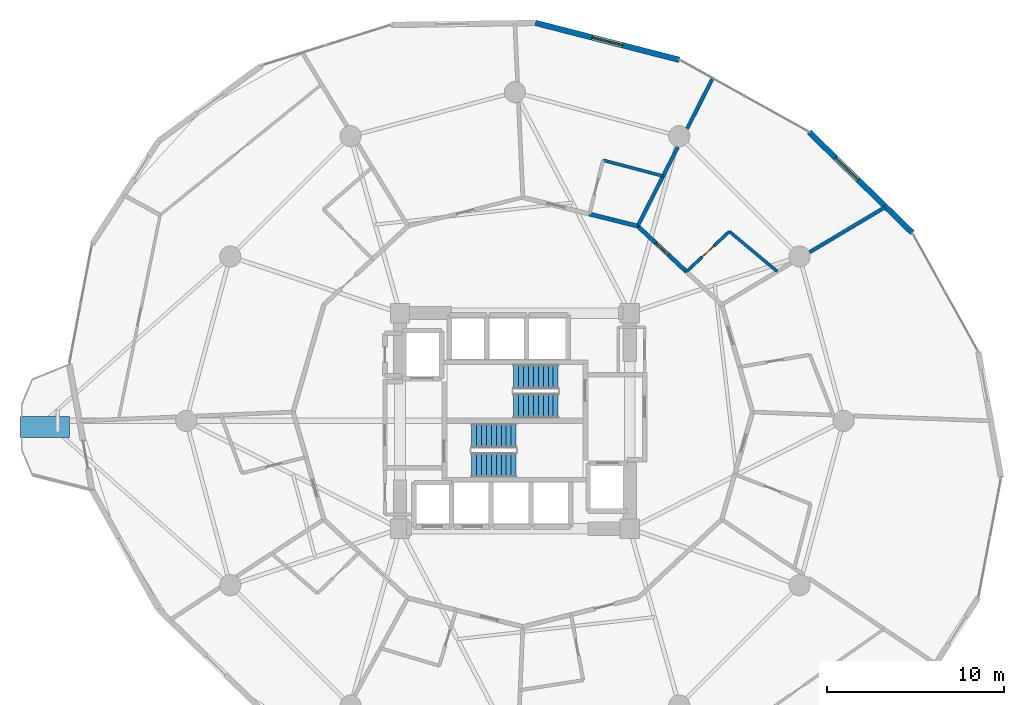
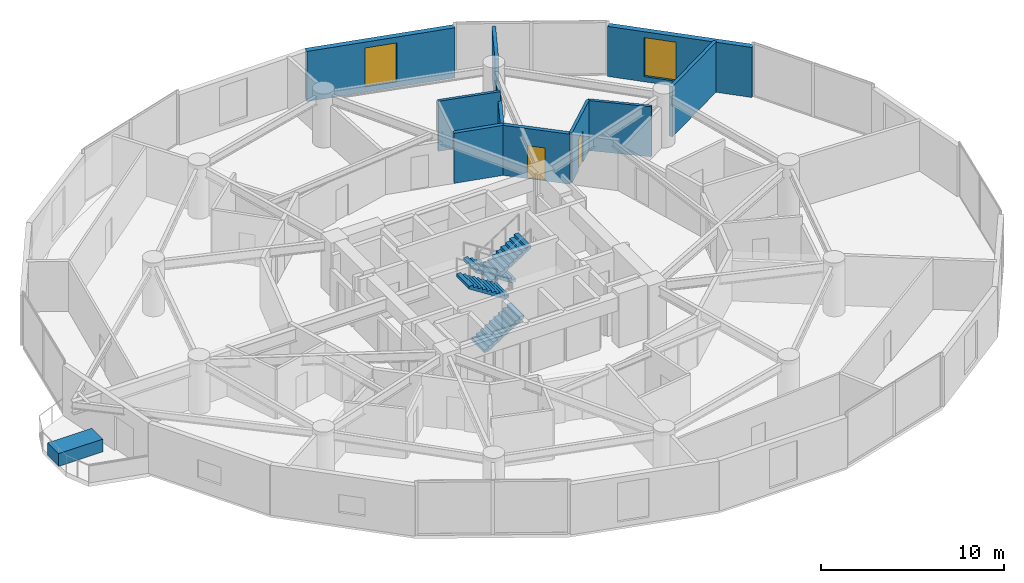
# One storey, part 20 of 22: 10 walls, 4 stair flights, 2 doors, 2 windows, 1 discrete accessory, 4 openings, 2 elements without a shape of their own.
"""IFC4 building model written with IfcOpenShell, lengths in metres."""

from ifc_helpers import new_model, si_unit, direction, frame, frame_2d, origin, origin_2d, place, context, subcontext, project, spatial, polyline, rectangle, outline, extrude, material, layer, layer_set, type_object, element, fill, aggregate, save


model = new_model("IFC4")

# Units and contexts
model_context = context("Model", 3, precision=1e-05, world=origin(), true_north=direction((0.0, 1.0)))
body_context = subcontext(model_context, "Body", "Model", "MODEL_VIEW")
ifc_project = project(units=[si_unit("LENGTHUNIT", "METRE"), si_unit("AREAUNIT", "SQUARE_METRE"), si_unit("VOLUMEUNIT", "CUBIC_METRE"), si_unit("PLANEANGLEUNIT", "RADIAN"), si_unit("MASSUNIT", "GRAM", prefix="KILO")], contexts=[model_context])

# Site, building, storey
site_placement = place(None, origin())
site = spatial("IfcSite", under=ifc_project, at=site_placement, CompositionType="ELEMENT")
building_placement = place(site_placement, origin())
building = spatial("IfcBuilding", under=site, at=building_placement, Name="Solvirekh Grand Hotel", CompositionType="ELEMENT")
storey_placement = place(building_placement, frame((0.0, 0.0, 78.800048828125)))
storey = spatial("IfcBuildingStorey", under=building, at=storey_placement, Name="L19", CompositionType="ELEMENT", Elevation=78.800048828125)

# Wall, opening, window
ifc_material_1 = material(Name="Precast concrete C45/55", Category="concrete")
ifc_layer_1 = layer(ifc_material_1, 0.320068359375)
ifc_layer_set_1 = layer_set([ifc_layer_1], Name="Precast concrete C45/55")
wall_type_1 = type_object("IfcWallType", Name="ExtLobbyWall_RC320", PredefinedType="SOLIDWALL", material=ifc_layer_set_1)
wall_1_placement = place(storey_placement, frame((16.656005859375, 16.339111328125, 0.0), z_axis=(0.0, 0.0, 1.0), x_axis=(0.715637667014, -0.698471709914, 0.0)))
wall_1 = element("IfcWall", 1, at=wall_1_placement, inside=storey, type_object=wall_type_1, Name="L19 exterior structural wall chord 4", PredefinedType="SOLIDWALL", context=body_context, shape_type="SweptSolid", body=[
    extrude(rectangle(XDim=8.1494140625, YDim=0.320068359375, at=frame_2d((4.07470703125, 0.0))), origin(), (0.0, 0.0, 1.0), 3.33984375),
])
opening_1_placement = place(wall_1_placement, frame((2.068115234375, 0.0, 0.35009765625)))
opening_1 = element("IfcOpeningElement", 2, at=opening_1_placement, cuts=wall_1, Name="Opening W02", PredefinedType="OPENING", context=body_context, shape_type="SweptSolid", body=[
    extrude(rectangle(XDim=1.800048828125, YDim=2.60009765625, at=frame_2d((0.89990234375, 1.300048828125))), frame((0.0, 0.169921875, 0.0), z_axis=(0.0, -1.0, 0.0), x_axis=(1.0, 0.0, 0.0)), (0.0, 0.0, 1.0), 0.340087890625),
])
ifc_material_2 = material(Name="Low-E Tinted Bronze Laminated Glass", Category="aluminium")
window_type = type_object("IfcWindowType", Name="Win_LobbyExt_1800X2600", PartitioningType="SINGLE_PANEL", PredefinedType="WINDOW", material=ifc_material_2)
window_1_placement = place(opening_1_placement, origin())
window_1 = element("IfcWindow", 3, at=window_1_placement, inside=storey, type_object=window_type, Name="L19 panoramic bronze-framed window 4", OverallHeight=2.60009765625, OverallWidth=1.800048828125, PartitioningType="SINGLE_PANEL", PredefinedType="WINDOW", context=body_context, shape_type="SweptSolid", body=[
    extrude(rectangle(XDim=1.800048828125, YDim=2.60009765625, at=frame_2d((0.89990234375, 1.300048828125))), frame((0.0, 0.030029296875, 0.0), z_axis=(0.0, -1.0, 0.0), x_axis=(1.0, 0.0, 0.0)), (0.0, 0.0, 1.0), 0.06005859375),
])
fill(opening_1, window_1)

wall_2_placement = place(storey_placement, frame((1.157958984375, 22.52490234375, 0.0), z_axis=(0.0, 0.0, 1.0), x_axis=(0.968555100302, -0.248799151282, 0.0)))
wall_2 = element("IfcWall", 4, at=wall_2_placement, inside=storey, type_object=wall_type_1, Name="L19 exterior structural wall chord 6", PredefinedType="SOLIDWALL", context=body_context, shape_type="SweptSolid", body=[
    extrude(rectangle(XDim=8.41259765625, YDim=0.320068359375, at=frame_2d((4.206298828125, 0.0))), origin(), (0.0, 0.0, 1.0), 3.33984375),
])
opening_2_placement = place(wall_2_placement, frame((3.305908203125, 0.0, 0.35009765625)))
opening_2 = element("IfcOpeningElement", 5, at=opening_2_placement, cuts=wall_2, Name="Opening W02", PredefinedType="OPENING", context=body_context, shape_type="SweptSolid", body=[
    extrude(rectangle(XDim=1.800048828125, YDim=2.60009765625, at=frame_2d((0.89990234375, 1.300048828125))), frame((0.0, 0.169921875, 0.0), z_axis=(0.0, -1.0, 0.0), x_axis=(1.0, 0.0, 0.0)), (0.0, 0.0, 1.0), 0.340087890625),
])
window_2_placement = place(opening_2_placement, origin())
window_2 = element("IfcWindow", 6, at=window_2_placement, inside=storey, type_object=window_type, Name="L19 panoramic bronze-framed window 6", OverallHeight=2.60009765625, OverallWidth=1.800048828125, PartitioningType="SINGLE_PANEL", PredefinedType="WINDOW", context=body_context, shape_type="SweptSolid", body=[
    extrude(rectangle(XDim=1.800048828125, YDim=2.60009765625, at=frame_2d((0.89990234375, 1.300048828125))), frame((0.0, 0.030029296875, 0.0), z_axis=(0.0, -1.0, 0.0), x_axis=(1.0, 0.0, 0.0)), (0.0, 0.0, 1.0), 0.06005859375),
])
fill(opening_2, window_2)

# Wall, opening, door
ifc_material_3 = material(Name="Acoustic Gypsum Partition Assembly")
ifc_layer_2 = layer(ifc_material_3, 0.239990234375)
ifc_layer_set_2 = layer_set([ifc_layer_2], Name="Acoustic Gypsum Partition Assembly")
wall_type_2 = type_object("IfcWallType", Name="Part_Corridor_240", PredefinedType="PARTITIONING", material=ifc_layer_set_2)
wall_3_placement = place(storey_placement, frame((9.7099609375, 8.443115234375, 0.0), z_axis=(0.0, 0.0, 1.0), x_axis=(-0.730679025356, 0.682721145054, 0.0)))
wall_3 = element("IfcWall", 7, at=wall_3_placement, inside=storey, type_object=wall_type_2, Name="L19 Deluxe Guestroom 2108 entrance wall", PredefinedType="PARTITIONING", context=body_context, shape_type="SweptSolid", body=[
    extrude(rectangle(XDim=3.77734375, YDim=0.239990234375, at=frame_2d((1.888671875, 0.0))), origin(), (0.0, 0.0, 1.0), 3.33984375),
])
opening_3_placement = place(wall_3_placement, frame((1.388916015625, 0.0, 0.0)))
opening_3 = element("IfcOpeningElement", 8, at=opening_3_placement, cuts=wall_3, Name="Opening D07", PredefinedType="OPENING", context=body_context, shape_type="SweptSolid", body=[
    extrude(rectangle(XDim=1.0, YDim=2.199951171875, at=frame_2d((0.5, 1.10009765625))), frame((0.0, 0.1298828125, 0.0), z_axis=(0.0, -1.0, 0.0), x_axis=(1.0, 0.0, 0.0)), (0.0, 0.0, 1.0), 0.260009765625),
])
ifc_material_4 = material(Name="Fire-Rated Steel Door Assembly", Category="steel")
door_type_1 = type_object("IfcDoorType", Name="Door_GuestEntry_1000X2200", OperationType="NOTDEFINED", PredefinedType="DOOR", material=ifc_material_4)
door_1_placement = place(opening_3_placement, origin())
door_1 = element("IfcDoor", 9, at=door_1_placement, inside=storey, type_object=door_type_1, Name="L19 Deluxe Guestroom 2108 entrance door", OperationType="SINGLE_SWING_RIGHT", OverallHeight=2.199951171875, OverallWidth=1.0, PredefinedType="DOOR", context=body_context, shape_type="SweptSolid", body=[
    extrude(rectangle(XDim=1.0, YDim=2.199951171875, at=frame_2d((0.5, 1.10009765625))), frame((0.0, 0.02490234375, 0.0), z_axis=(0.0, -1.0, 0.0), x_axis=(1.0, 0.0, 0.0)), (0.0, 0.0, 1.0), 0.050048828125),
])
fill(opening_3, door_1)

# Walls
wall_4_placement = place(storey_placement, frame((6.949951171875, 11.02197265625, 0.0), z_axis=(0.0, 0.0, 1.0), x_axis=(-0.970009682466, 0.243066278865, 0.0)))
element("IfcWall", 10, at=wall_4_placement, inside=storey, type_object=wall_type_2, Name="L19 En-suite Bathroom 2109 corridor backing wall", PredefinedType="PARTITIONING", context=body_context, shape_type="SweptSolid", body=[
    extrude(rectangle(XDim=2.814453125, YDim=0.239990234375, at=frame_2d((1.4072265625, 0.0))), origin(), (0.0, 0.0, 1.0), 3.33984375),
])
ifc_layer_3 = layer(ifc_material_3, 0.2099609375)
ifc_layer_set_3 = layer_set([ifc_layer_3], Name="Acoustic Gypsum Partition Assembly")
wall_type_3 = type_object("IfcWallType", Name="Part_SuiteDemise_210", PredefinedType="PARTITIONING", material=ifc_layer_set_3)
wall_5_placement = place(storey_placement, frame((16.677978515625, 9.5439453125, 0.0), z_axis=(0.0, 0.0, 1.0), x_axis=(0.858517464023, 0.512784325002, 0.0)))
element("IfcWall", 11, at=wall_5_placement, inside=storey, type_object=wall_type_3, Name="L19 suite radial wall 2 (B)", PredefinedType="PARTITIONING", context=body_context, shape_type="SweptSolid", body=[
    extrude(rectangle(XDim=4.974853515625, YDim=0.2099609375, at=frame_2d((2.4873046875, 0.0))), origin(), (0.0, 0.0, 1.0), 3.33984375),
])
wall_6_placement = place(storey_placement, frame((6.949951171875, 11.02197265625, 0.0), z_axis=(0.0, 0.0, 1.0), x_axis=(0.452173499379, 0.891930000874, 0.0)))
element("IfcWall", 12, at=wall_6_placement, inside=storey, type_object=wall_type_3, Name="L19 suite radial wall 3 (A)", PredefinedType="PARTITIONING", context=body_context, shape_type="SweptSolid", body=[
    extrude(rectangle(XDim=5.013671875, YDim=0.2099609375, at=frame_2d((2.5068359375, 0.0))), origin(), (0.0, 0.0, 1.0), 2.7080078125),
])
wall_7_placement = place(storey_placement, frame((9.7470703125, 16.5380859375, 0.0), z_axis=(0.0, 0.0, 1.0), x_axis=(0.452012486592, 0.892011609771, 0.0)))
element("IfcWall", 13, at=wall_7_placement, inside=storey, type_object=wall_type_3, Name="L19 suite radial wall 3 (B)", PredefinedType="PARTITIONING", context=body_context, shape_type="SweptSolid", body=[
    extrude(rectangle(XDim=3.14990234375, YDim=0.2099609375, at=frame_2d((1.574951171875, 0.0))), origin(), (0.0, 0.0, 1.0), 3.33984375),
])
ifc_layer_4 = layer(ifc_material_3, 0.175048828125)
ifc_layer_set_4 = layer_set([ifc_layer_4], Name="Acoustic Gypsum Partition Assembly")
wall_type_4 = type_object("IfcWallType", Name="Plumb_Ensuite_175", PredefinedType="PLUMBINGWALL", material=ifc_layer_set_4)
wall_8_placement = place(storey_placement, frame((14.85009765625, 8.451904296875, 0.0), z_axis=(0.0, 0.0, 1.0), x_axis=(-0.767457100914, 0.641100302805, 0.0)))
element("IfcWall", 14, at=wall_8_placement, inside=storey, type_object=wall_type_4, Name="L19 En-suite Bathroom 2108 outer plumbing wall", PredefinedType="PLUMBINGWALL", context=body_context, shape_type="SweptSolid", body=[
    extrude(rectangle(XDim=3.537841796875, YDim=0.175048828125, at=frame_2d((1.76904296875, 0.0))), origin(), (0.0, 0.0, 1.0), 3.33984375),
])

# Wall, opening, door
wall_9_placement = place(storey_placement, frame((9.7099609375, 8.443115234375, 0.0), z_axis=(0.0, 0.0, 1.0), x_axis=(0.729031175157, 0.684480493257, 0.0)))
wall_9 = element("IfcWall", 15, at=wall_9_placement, inside=storey, type_object=wall_type_4, Name="L19 En-suite Bathroom 2108 entry plumbing wall", PredefinedType="PLUMBINGWALL", context=body_context, shape_type="SweptSolid", body=[
    extrude(rectangle(XDim=3.326416015625, YDim=0.175048828125, at=frame_2d((1.6630859375, 0.0))), origin(), (0.0, 0.0, 1.0), 3.33984375),
])
opening_4_placement = place(wall_9_placement, frame((1.212890625, 0.0, 0.0)))
opening_4 = element("IfcOpeningElement", 16, at=opening_4_placement, cuts=wall_9, Name="Opening D09", PredefinedType="OPENING", context=body_context, shape_type="SweptSolid", body=[
    extrude(rectangle(XDim=0.89990234375, YDim=2.10009765625, at=frame_2d((0.449951171875, 1.050048828125))), frame((0.0, 0.09765625, 0.0), z_axis=(0.0, -1.0, 0.0), x_axis=(1.0, 0.0, 0.0)), (0.0, 0.0, 1.0), 0.195068359375),
])
ifc_material_5 = material(Name="Anodized Bronze Aluminium 6063-T6", Category="aluminium")
door_type_2 = type_object("IfcDoorType", Name="Door_Ensuite_900X2100", OperationType="NOTDEFINED", PredefinedType="DOOR", material=ifc_material_5)
door_2_placement = place(opening_4_placement, origin())
door_2 = element("IfcDoor", 17, at=door_2_placement, inside=storey, type_object=door_type_2, Name="L19 En-suite Bathroom 2108 door", OperationType="SINGLE_SWING_LEFT", OverallHeight=2.10009765625, OverallWidth=0.89990234375, PredefinedType="DOOR", context=body_context, shape_type="SweptSolid", body=[
    extrude(rectangle(XDim=0.89990234375, YDim=2.10009765625, at=frame_2d((0.449951171875, 1.050048828125))), frame((0.0, 0.02490234375, 0.0), z_axis=(0.0, -1.0, 0.0), x_axis=(1.0, 0.0, 0.0)), (0.0, 0.0, 1.0), 0.050048828125),
])
fill(opening_4, door_2)

# Wall
wall_10_placement = place(storey_placement, frame((8.385009765625, 13.85302734375, 0.0), z_axis=(0.0, 0.0, 1.0), x_axis=(-0.966861774652, 0.255300428351, 0.0)))
element("IfcWall", 18, at=wall_10_placement, inside=storey, type_object=wall_type_4, Name="L19 En-suite Bathroom 2109 outer plumbing wall", PredefinedType="PLUMBINGWALL", context=body_context, shape_type="SweptSolid", body=[
    extrude(rectangle(XDim=3.513427734375, YDim=0.175048828125, at=frame_2d((1.7568359375, 0.0))), origin(), (0.0, 0.0, 1.0), 3.33984375),
])

# Stair, stair flights
ifc_material_6 = material(Name="Concrete C40/50", Category="concrete")
stair_type = type_object("IfcStairType", Name="Stair_Core_1450", PredefinedType="HALF_TURN_STAIR", material=ifc_material_6)
stair_1_placement = place(storey_placement, origin())
stair_1 = element("IfcStair", 19, at=stair_1_placement, inside=storey, type_object=stair_type, Name="L19 Enclosed exit stair ST-1", PredefinedType="HALF_TURN_STAIR")
stair_flight_type = type_object("IfcStairFlightType", Name="Flight_Core_1450", PredefinedType="STRAIGHT", material=ifc_material_6)
stair_flight_1_placement = place(storey_placement, frame((-2.449951171875, -2.5, 0.0), z_axis=(0.0, 0.0, 1.0), x_axis=(1.0, 0.0, 0.0)))
stair_flight_1 = element("IfcStairFlight", 20, at=stair_flight_1_placement, type_object=stair_flight_type, Name="ST-1 flight 1", NumberOfRisers=10, NumberOfTreads=9, PredefinedType="STRAIGHT", RiserHeight=0.18, TreadLength=0.28, context=body_context, shape_type="SweptSolid", body=[
    extrude(outline(polyline([(0.0, 0.0), (0.0, 0.179931640625), (0.280029296875, 0.179931640625), (0.280029296875, 0.360107421875), (0.56005859375, 0.360107421875), (0.56005859375, 0.5400390625), (0.840087890625, 0.5400390625), (0.840087890625, 0.719970703125), (1.1201171875, 0.719970703125), (1.1201171875, 0.89990234375), (1.39990234375, 0.89990234375), (1.39990234375, 1.080078125), (1.679931640625, 1.080078125), (1.679931640625, 1.260009765625), (1.9599609375, 1.260009765625), (1.9599609375, 1.43994140625), (2.239990234375, 1.43994140625), (2.239990234375, 1.6201171875), (2.52001953125, 1.6201171875), (2.52001953125, 1.800048828125), (2.52001953125, 1.44189453125), (0.277099609375, 0.0), (0.0, 0.0)])), frame((0.0, 0.699951171875, 0.0), z_axis=(0.0, -1.0, 0.0), x_axis=(1.0, 0.0, 0.0)), (0.0, 0.0, 1.0), 1.39990234375),
])
stair_flight_2_placement = place(storey_placement, frame((0.070068359375, -0.85009765625, 1.800048828125), z_axis=(0.0, 0.0, 1.0), x_axis=(-1.0, 0.0, 0.0)))
stair_flight_2 = element("IfcStairFlight", 21, at=stair_flight_2_placement, type_object=stair_flight_type, Name="ST-1 flight 2", NumberOfRisers=10, NumberOfTreads=9, PredefinedType="STRAIGHT", RiserHeight=0.18, TreadLength=0.28, context=body_context, shape_type="SweptSolid", body=[
    extrude(outline(polyline([(0.0, 0.0), (0.0, 0.179931640625), (0.280029296875, 0.179931640625), (0.280029296875, 0.360107421875), (0.56005859375, 0.360107421875), (0.56005859375, 0.5400390625), (0.840087890625, 0.5400390625), (0.840087890625, 0.719970703125), (1.1201171875, 0.719970703125), (1.1201171875, 0.89990234375), (1.39990234375, 0.89990234375), (1.39990234375, 1.080078125), (1.679931640625, 1.080078125), (1.679931640625, 1.260009765625), (1.9599609375, 1.260009765625), (1.9599609375, 1.43994140625), (2.239990234375, 1.43994140625), (2.239990234375, 1.6201171875), (2.52001953125, 1.6201171875), (2.52001953125, 1.800048828125), (2.52001953125, 1.44189453125), (0.277099609375, 0.0), (0.0, 0.0)])), frame((0.0, 0.699951171875, 0.0), z_axis=(0.0, -1.0, 0.0), x_axis=(1.0, 0.0, 0.0)), (0.0, 0.0, 1.0), 1.39990234375),
])
aggregate(stair_1, [stair_flight_1, stair_flight_2])

stair_2_placement = place(storey_placement, origin())
stair_2 = element("IfcStair", 22, at=stair_2_placement, inside=storey, type_object=stair_type, Name="L19 Enclosed exit stair ST-2", PredefinedType="HALF_TURN_STAIR")
stair_flight_3_placement = place(storey_placement, frame((2.449951171875, 2.5, 0.0), z_axis=(0.0, 0.0, 1.0), x_axis=(-1.0, 0.0, 0.0)))
stair_flight_3 = element("IfcStairFlight", 23, at=stair_flight_3_placement, type_object=stair_flight_type, Name="ST-2 flight 1", NumberOfRisers=10, NumberOfTreads=9, PredefinedType="STRAIGHT", RiserHeight=0.18, TreadLength=0.28, context=body_context, shape_type="SweptSolid", body=[
    extrude(outline(polyline([(0.0, 0.0), (0.0, 0.179931640625), (0.280029296875, 0.179931640625), (0.280029296875, 0.360107421875), (0.56005859375, 0.360107421875), (0.56005859375, 0.5400390625), (0.840087890625, 0.5400390625), (0.840087890625, 0.719970703125), (1.1201171875, 0.719970703125), (1.1201171875, 0.89990234375), (1.39990234375, 0.89990234375), (1.39990234375, 1.080078125), (1.679931640625, 1.080078125), (1.679931640625, 1.260009765625), (1.9599609375, 1.260009765625), (1.9599609375, 1.43994140625), (2.239990234375, 1.43994140625), (2.239990234375, 1.6201171875), (2.52001953125, 1.6201171875), (2.52001953125, 1.800048828125), (2.52001953125, 1.44189453125), (0.277099609375, 0.0), (0.0, 0.0)])), frame((0.0, 0.699951171875, 0.0), z_axis=(0.0, -1.0, 0.0), x_axis=(1.0, 0.0, 0.0)), (0.0, 0.0, 1.0), 1.39990234375),
])
stair_flight_4_placement = place(storey_placement, frame((-0.070068359375, 0.85009765625, 1.800048828125), z_axis=(0.0, 0.0, 1.0), x_axis=(1.0, 0.0, 0.0)))
stair_flight_4 = element("IfcStairFlight", 24, at=stair_flight_4_placement, type_object=stair_flight_type, Name="ST-2 flight 2", NumberOfRisers=10, NumberOfTreads=9, PredefinedType="STRAIGHT", RiserHeight=0.18, TreadLength=0.28, context=body_context, shape_type="SweptSolid", body=[
    extrude(outline(polyline([(0.0, 0.0), (0.0, 0.179931640625), (0.280029296875, 0.179931640625), (0.280029296875, 0.360107421875), (0.56005859375, 0.360107421875), (0.56005859375, 0.5400390625), (0.840087890625, 0.5400390625), (0.840087890625, 0.719970703125), (1.1201171875, 0.719970703125), (1.1201171875, 0.89990234375), (1.39990234375, 0.89990234375), (1.39990234375, 1.080078125), (1.679931640625, 1.080078125), (1.679931640625, 1.260009765625), (1.9599609375, 1.260009765625), (1.9599609375, 1.43994140625), (2.239990234375, 1.43994140625), (2.239990234375, 1.6201171875), (2.52001953125, 1.6201171875), (2.52001953125, 1.800048828125), (2.52001953125, 1.44189453125), (0.277099609375, 0.0), (0.0, 0.0)])), frame((0.0, 0.699951171875, 0.0), z_axis=(0.0, -1.0, 0.0), x_axis=(1.0, 0.0, 0.0)), (0.0, 0.0, 1.0), 1.39990234375),
])
aggregate(stair_2, [stair_flight_3, stair_flight_4])

# Discrete accessory
discrete_accessory_type = type_object("IfcDiscreteAccessoryType", Name="Acc_PlanterBox", PredefinedType="USERDEFINED", material=ifc_material_1)
discrete_accessory_placement = place(storey_placement, frame((-26.60400390625, -0.35302734375, 0.0), z_axis=(0.0, 0.0, 1.0), x_axis=(0.0, 1.0, 0.0)))
element("IfcDiscreteAccessory", 25, at=discrete_accessory_placement, inside=storey, type_object=discrete_accessory_type, Name="L19 horn sky-garden tree planter", ObjectType="PLANTER", PredefinedType="USERDEFINED", context=body_context, shape_type="SweptSolid", body=[
    extrude(rectangle(XDim=1.199951171875, YDim=2.800048828125, at=origin_2d()), origin(), (0.0, 0.0, 1.0), 0.85009765625),
])

save(model, "model.ifc")
